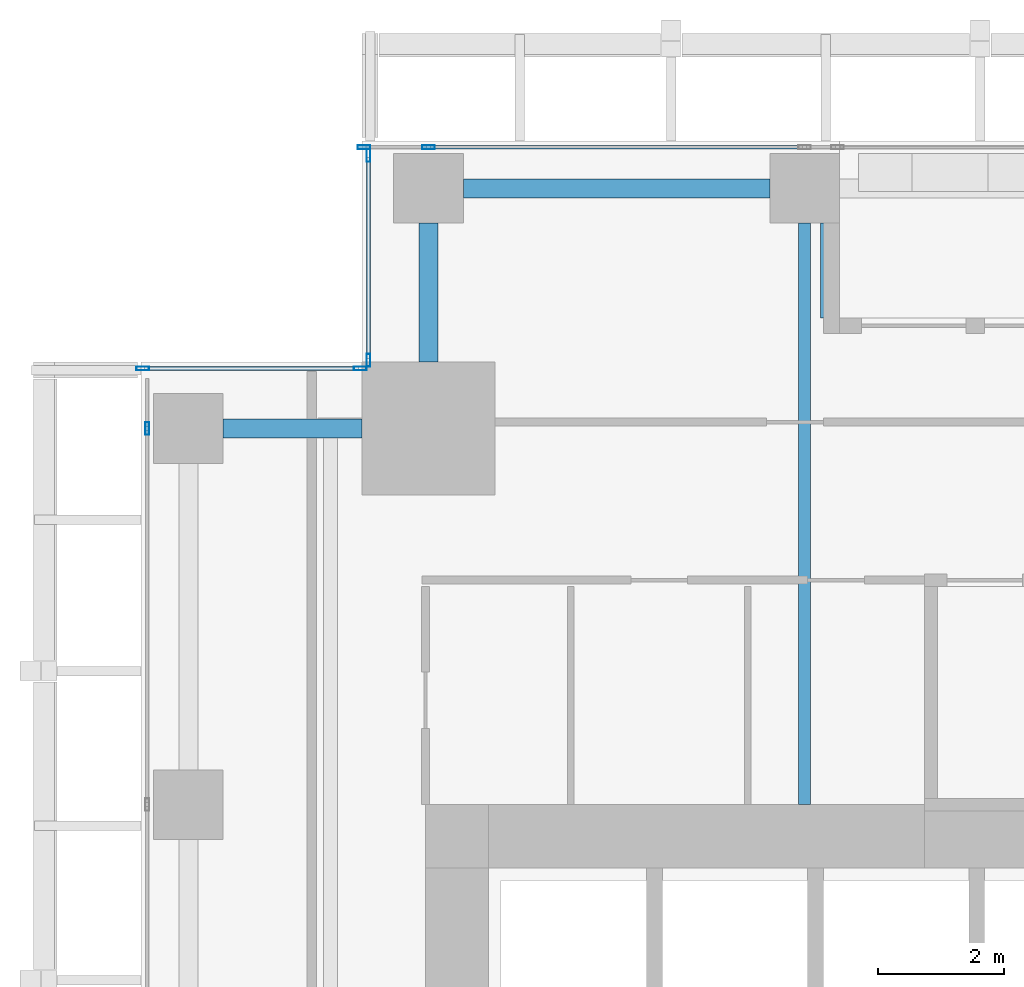
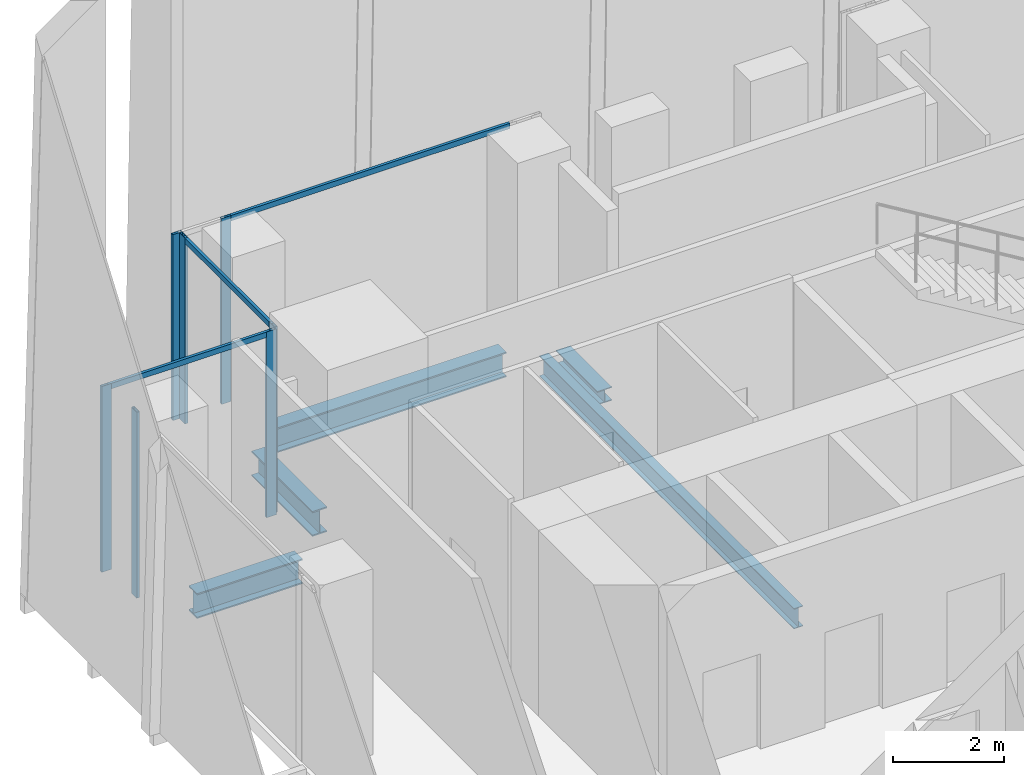
# One storey, part 16 of 36: 10 members, 5 beams, 4 elements without a shape of their own.
"""IFC4 building model written with IfcOpenShell, lengths in metres."""

from ifc_helpers import new_model, si_unit, direction, frame, origin, origin_2d, place, context, subcontext, project, spatial, hollow_rectangle, i_section, extrude, source, transform, mapped, material, material_profile, profile_set, type_object, element, aggregate, save


model = new_model("IFC4")

# Units and contexts
model_context = context("Model", 3, precision=1e-05, world=origin(), true_north=direction((0.0, 1.0)))
body_context = subcontext(model_context, "Body", "Model", "MODEL_VIEW")
ifc_project = project(units=[si_unit("LENGTHUNIT", "METRE"), si_unit("AREAUNIT", "SQUARE_METRE"), si_unit("VOLUMEUNIT", "CUBIC_METRE"), si_unit("PLANEANGLEUNIT", "RADIAN"), si_unit("MASSUNIT", "GRAM", prefix="KILO")], contexts=[model_context])

# Site, building, storey
site_placement = place(None, origin())
site = spatial("IfcSite", under=ifc_project, at=site_placement, CompositionType="ELEMENT")
building_placement = place(site_placement, origin())
building = spatial("IfcBuilding", under=site, at=building_placement, Name="Khomas Fold Tower", CompositionType="ELEMENT")
storey_placement = place(building_placement, frame((0.0, 0.0, 141.10009765625)))
storey = spatial("IfcBuildingStorey", under=building, at=storey_placement, Name="L30", CompositionType="ELEMENT", Elevation=141.10009765625)

# Beams
ifc_material_1 = material(Name="Steel S355", Category="steel")
ifc_material_profile_1 = material_profile(ifc_material_1, i_section(OverallWidth=0.300048828125, OverallDepth=0.550048828125, WebThickness=0.014892578125, FlangeThickness=0.029052734375, at=origin_2d()), Name="HE 550 B")
ifc_profile_set_1 = profile_set([ifc_material_profile_1], Name="Steel S355")
beam_type_1 = type_object("IfcBeamType", Name="HE 550 B spandrel SB2", PredefinedType="SPANDREL", material=ifc_profile_set_1)
shared_shape_1 = source(origin(), body_context, "Body", "SweptSolid", [
    extrude(i_section(OverallWidth=0.300048828125, OverallDepth=0.550048828125, WebThickness=0.014892578125, FlangeThickness=0.029052734375, at=origin_2d()), origin(), (0.0, 0.0, 1.0), 4.849853515625),
])
beam_1_placement = place(storey_placement, frame((6.60009765625, 51.75, -0.5751953125), z_axis=(1.0, 0.0, 0.0), x_axis=(0.0, 1.0, 0.0)))
element("IfcBeam", 1, at=beam_1_placement, inside=storey, type_object=beam_type_1, Name="SB2", PredefinedType="SPANDREL", context=body_context, shape_type="MappedRepresentation", body=[
    mapped(shared_shape_1, transform((0.0, 0.0, 0.0))),
])
shared_shape_2 = source(origin(), body_context, "Body", "SweptSolid", [
    extrude(i_section(OverallWidth=0.300048828125, OverallDepth=0.550048828125, WebThickness=0.014892578125, FlangeThickness=0.029052734375, at=origin_2d()), origin(), (0.0, 0.0, 1.0), 2.199951171875),
])
for number, where, z_axis, x_axis, name in (
    (2, (6.050048828125, 49.0, -0.5751953125), (0.0, 1.0, 0.0), (-1.0, 0.0, 0.0), "SB2"),
    (3, (2.800048828125, 47.949951171875, -0.5751953125), (1.0, 0.0, 0.0), (0.0, 1.0, 0.0), "SB2"),
):
    element("IfcBeam", number, at=place(storey_placement, frame(where, z_axis=z_axis, x_axis=x_axis)), inside=storey, type_object=beam_type_1, Name=name, PredefinedType="SPANDREL", context=body_context, shape_type="MappedRepresentation", body=[
        mapped(shared_shape_2, transform((0.0, 0.0, 0.0))),
    ])
ifc_material_2 = material(Name="Steel S355", Category="steel")
ifc_material_profile_2 = material_profile(ifc_material_2, i_section(OverallWidth=0.18994140625, OverallDepth=0.449951171875, WebThickness=0.009521484375, FlangeThickness=0.0146484375, at=origin_2d()), Name="IPE 450")
ifc_profile_set_2 = profile_set([ifc_material_profile_2], Name="Steel S355")
beam_type_2 = type_object("IfcBeamType", Name="IPE 450 beam JB4", PredefinedType="BEAM", material=ifc_profile_set_2)
shared_shape_3 = source(origin(), body_context, "Body", "SweptSolid", [
    extrude(i_section(OverallWidth=0.18994140625, OverallDepth=0.449951171875, WebThickness=0.009521484375, FlangeThickness=0.0146484375, at=origin_2d()), origin(), (0.0, 0.0, 1.0), 9.199951171875),
])
beam_2_placement = place(storey_placement, frame((12.0, 42.0, -0.525146484375), z_axis=(0.0, 1.0, 0.0), x_axis=(-1.0, 0.0, 0.0)))
element("IfcBeam", 4, at=beam_2_placement, inside=storey, type_object=beam_type_2, Name="JB4", PredefinedType="BEAM", context=body_context, shape_type="MappedRepresentation", body=[
    mapped(shared_shape_3, transform((0.0, 0.0, 0.0))),
])
ifc_material_3 = material(Name="Steel S355", Category="steel")
ifc_material_profile_3 = material_profile(ifc_material_3, i_section(OverallWidth=0.300048828125, OverallDepth=0.300048828125, WebThickness=0.010986328125, FlangeThickness=0.01904296875, at=origin_2d()), Name="HE 300 B")
ifc_profile_set_3 = profile_set([ifc_material_profile_3], Name="Steel S355")
beam_type_3 = type_object("IfcBeamType", Name="HE 300 B beam BB1", PredefinedType="BEAM", material=ifc_profile_set_3)
shared_shape_4 = source(origin(), body_context, "Body", "SweptSolid", [
    extrude(i_section(OverallWidth=0.300048828125, OverallDepth=0.300048828125, WebThickness=0.010986328125, FlangeThickness=0.01904296875, at=origin_2d()), origin(), (0.0, 0.0, 1.0), 1.5),
])
beam_3_placement = place(storey_placement, frame((12.39990234375, 49.699951171875, -0.4501953125), z_axis=(0.0, 1.0, 0.0), x_axis=(-1.0, 0.0, 0.0)))
element("IfcBeam", 5, at=beam_3_placement, inside=storey, type_object=beam_type_3, Name="BB1", PredefinedType="BEAM", context=body_context, shape_type="MappedRepresentation", body=[
    mapped(shared_shape_4, transform((0.0, 0.0, 0.0))),
])

# Curtain wall, member
ifc_material_4 = material(Name="Aluminium framed double glazing", Category="aluminium")
curtain_wall_type = type_object("IfcCurtainWallType", Name="SK-Unitised clear-glass wall, growing floors CW1", PredefinedType="NOTDEFINED", material=ifc_material_4)
curtain_wall_1_placement = place(storey_placement, origin())
curtain_wall_1 = element("IfcCurtainWall", 6, at=curtain_wall_1_placement, inside=storey, type_object=curtain_wall_type, Name="CW1 run L30 06-1", PredefinedType="NOTDEFINED")
ifc_material_5 = material(Name="Aluminium", Category="aluminium")
ifc_material_profile_4 = material_profile(ifc_material_5, hollow_rectangle(XDim=0.06005859375, YDim=0.1201171875, WallThickness=0.00390625, at=origin_2d()), Name="SK-Unitised clear-glass wall, growing floors transom CW1-T")
ifc_profile_set_4 = profile_set([ifc_material_profile_4], Name="Aluminium")
member_type_1 = type_object("IfcMemberType", Name="SK-Unitised clear-glass wall, growing floors transom CW1-T", PredefinedType="USERDEFINED", material=ifc_profile_set_4)
shared_shape_5 = source(origin(), body_context, "Body", "SweptSolid", [
    extrude(hollow_rectangle(XDim=0.06005859375, YDim=0.1201171875, WallThickness=0.00390625, at=origin_2d()), origin(), (0.0, 0.0, 1.0), 5.889892578125),
])
member_1_placement = place(storey_placement, frame((11.969970703125, 52.39990234375, 4.039794921875), z_axis=(-1.0, 0.0, 0.0), x_axis=(0.0, -1.0, 0.0)))
member_1 = element("IfcMember", 7, at=member_1_placement, type_object=member_type_1, Name="CW1 transom 2", ObjectType="TRANSOM", PredefinedType="USERDEFINED", context=body_context, shape_type="MappedRepresentation", body=[
    mapped(shared_shape_5, transform((0.0, 0.0, 0.0))),
])

curtain_wall_2_placement = place(storey_placement, origin())
curtain_wall_2 = element("IfcCurtainWall", 8, at=curtain_wall_2_placement, inside=storey, type_object=curtain_wall_type, Name="CW1 corner return L30 07", PredefinedType="NOTDEFINED")
shared_shape_6 = source(origin(), body_context, "Body", "SweptSolid", [
    extrude(hollow_rectangle(XDim=0.06005859375, YDim=0.1201171875, WallThickness=0.00390625, at=origin_2d()), origin(), (0.0, 0.0, 1.0), 3.179931640625),
])
member_2_placement = place(storey_placement, frame((5.10009765625, 52.239990234375, 4.039794921875), z_axis=(0.0, -1.0, 0.0), x_axis=(1.0, 0.0, 0.0)))
member_2 = element("IfcMember", 9, at=member_2_placement, type_object=member_type_1, Name="CW1 transom 1", ObjectType="TRANSOM", PredefinedType="USERDEFINED", context=body_context, shape_type="MappedRepresentation", body=[
    mapped(shared_shape_6, transform((0.0, 0.0, 0.0))),
])

curtain_wall_3_placement = place(storey_placement, origin())
curtain_wall_3 = element("IfcCurtainWall", 10, at=curtain_wall_3_placement, inside=storey, type_object=curtain_wall_type, Name="CW1 corner return L30 08", PredefinedType="NOTDEFINED")
shared_shape_7 = source(origin(), body_context, "Body", "SweptSolid", [
    extrude(hollow_rectangle(XDim=0.06005859375, YDim=0.1201171875, WallThickness=0.00390625, at=origin_2d()), origin(), (0.0, 0.0, 1.0), 3.3798828125),
])
member_3_placement = place(storey_placement, frame((4.93994140625, 48.89990234375, 4.039794921875), z_axis=(-1.0, 0.0, 0.0), x_axis=(0.0, -1.0, 0.0)))
member_3 = element("IfcMember", 11, at=member_3_placement, type_object=member_type_1, Name="CW1 transom 1", ObjectType="TRANSOM", PredefinedType="USERDEFINED", context=body_context, shape_type="MappedRepresentation", body=[
    mapped(shared_shape_7, transform((0.0, 0.0, 0.0))),
])

# Member
ifc_material_6 = material(Name="Aluminium", Category="aluminium")
ifc_material_profile_5 = material_profile(ifc_material_6, hollow_rectangle(XDim=0.06005859375, YDim=0.199951171875, WallThickness=0.00390625, at=origin_2d()), Name="SK-Unitised clear-glass wall, growing floors mullion CW1-M")
ifc_profile_set_5 = profile_set([ifc_material_profile_5], Name="Aluminium")
member_type_2 = type_object("IfcMemberType", Name="SK-Unitised clear-glass wall, growing floors mullion CW1-M", PredefinedType="MULLION", material=ifc_profile_set_5)
shared_shape_8 = source(origin(), body_context, "Body", "SweptSolid", [
    extrude(hollow_rectangle(XDim=0.06005859375, YDim=0.199951171875, WallThickness=0.00390625, at=origin_2d()), origin(), (0.0, 0.0, 1.0), 4.099853515625),
])
member_4_placement = place(storey_placement, frame((6.050048828125, 52.39990234375, 0.0), z_axis=(0.0, 0.0, 1.0), x_axis=(0.0, -1.0, 0.0)))
member_4 = element("IfcMember", 12, at=member_4_placement, type_object=member_type_2, Name="CW1 mullion 3", PredefinedType="MULLION", context=body_context, shape_type="MappedRepresentation", body=[
    mapped(shared_shape_8, transform((0.0, 0.0, 0.0))),
])

member_5_placement = place(storey_placement, frame((5.030029296875, 52.39990234375, 0.0), z_axis=(0.0, 0.0, 1.0), x_axis=(0.0, -1.0, 0.0)))
member_5 = element("IfcMember", 13, at=member_5_placement, type_object=member_type_2, Name="CW1 mullion 4", PredefinedType="MULLION", context=body_context, shape_type="MappedRepresentation", body=[
    mapped(shared_shape_8, transform((0.0, 0.0, 0.0))),
])

aggregate(curtain_wall_1, [member_4, member_5, member_1])

member_6_placement = place(storey_placement, frame((5.10009765625, 52.27001953125, 0.0), z_axis=(0.0, 0.0, 1.0), x_axis=(1.0, 0.0, 0.0)))
member_6 = element("IfcMember", 14, at=member_6_placement, type_object=member_type_2, Name="CW1 mullion 1", PredefinedType="MULLION", context=body_context, shape_type="MappedRepresentation", body=[
    mapped(shared_shape_8, transform((0.0, 0.0, 0.0))),
])

member_7_placement = place(storey_placement, frame((5.10009765625, 49.030029296875, 0.0), z_axis=(0.0, 0.0, 1.0), x_axis=(1.0, 0.0, 0.0)))
member_7 = element("IfcMember", 15, at=member_7_placement, type_object=member_type_2, Name="CW1 mullion 2", PredefinedType="MULLION", context=body_context, shape_type="MappedRepresentation", body=[
    mapped(shared_shape_8, transform((0.0, 0.0, 0.0))),
])

aggregate(curtain_wall_2, [member_6, member_7, member_2])

member_8_placement = place(storey_placement, frame((4.969970703125, 48.89990234375, 0.0), z_axis=(0.0, 0.0, 1.0), x_axis=(0.0, -1.0, 0.0)))
member_8 = element("IfcMember", 16, at=member_8_placement, type_object=member_type_2, Name="CW1 mullion 1", PredefinedType="MULLION", context=body_context, shape_type="MappedRepresentation", body=[
    mapped(shared_shape_8, transform((0.0, 0.0, 0.0))),
])

member_9_placement = place(storey_placement, frame((1.530029296875, 48.89990234375, 0.0), z_axis=(0.0, 0.0, 1.0), x_axis=(0.0, -1.0, 0.0)))
member_9 = element("IfcMember", 17, at=member_9_placement, type_object=member_type_2, Name="CW1 mullion 2", PredefinedType="MULLION", context=body_context, shape_type="MappedRepresentation", body=[
    mapped(shared_shape_8, transform((0.0, 0.0, 0.0))),
])

aggregate(curtain_wall_3, [member_8, member_9, member_3])

# Curtain wall, member
curtain_wall_4_placement = place(storey_placement, origin())
curtain_wall_4 = element("IfcCurtainWall", 18, at=curtain_wall_4_placement, inside=storey, type_object=curtain_wall_type, Name="CW1 run L30 09-0", PredefinedType="NOTDEFINED")
member_10_placement = place(storey_placement, frame((1.60009765625, 47.949951171875, 0.0), z_axis=(0.0, 0.0, 1.0), x_axis=(1.0, 0.0, 0.0)))
member_10 = element("IfcMember", 19, at=member_10_placement, type_object=member_type_2, Name="CW1 mullion 2", PredefinedType="MULLION", context=body_context, shape_type="MappedRepresentation", body=[
    mapped(shared_shape_8, transform((0.0, 0.0, 0.0))),
])
aggregate(curtain_wall_4, [member_10])

save(model, "model.ifc")
